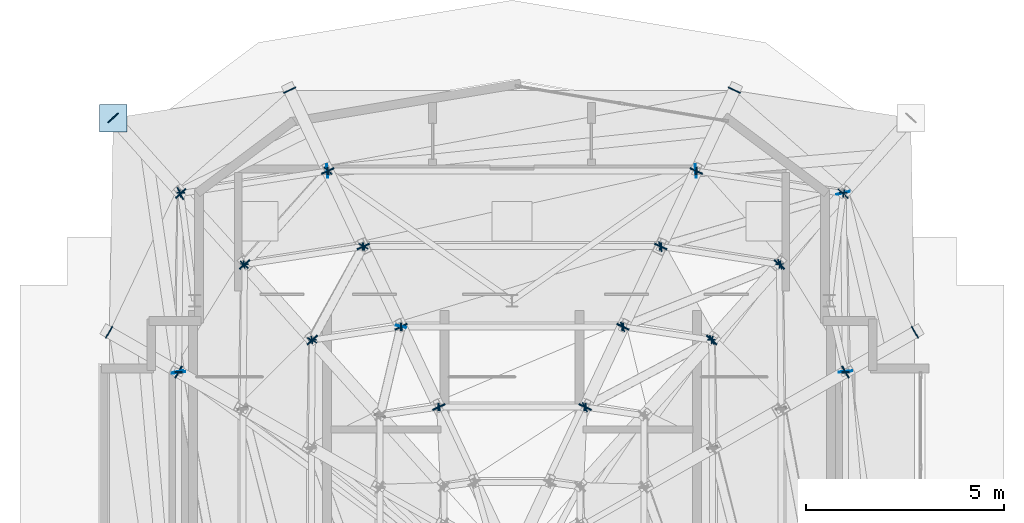
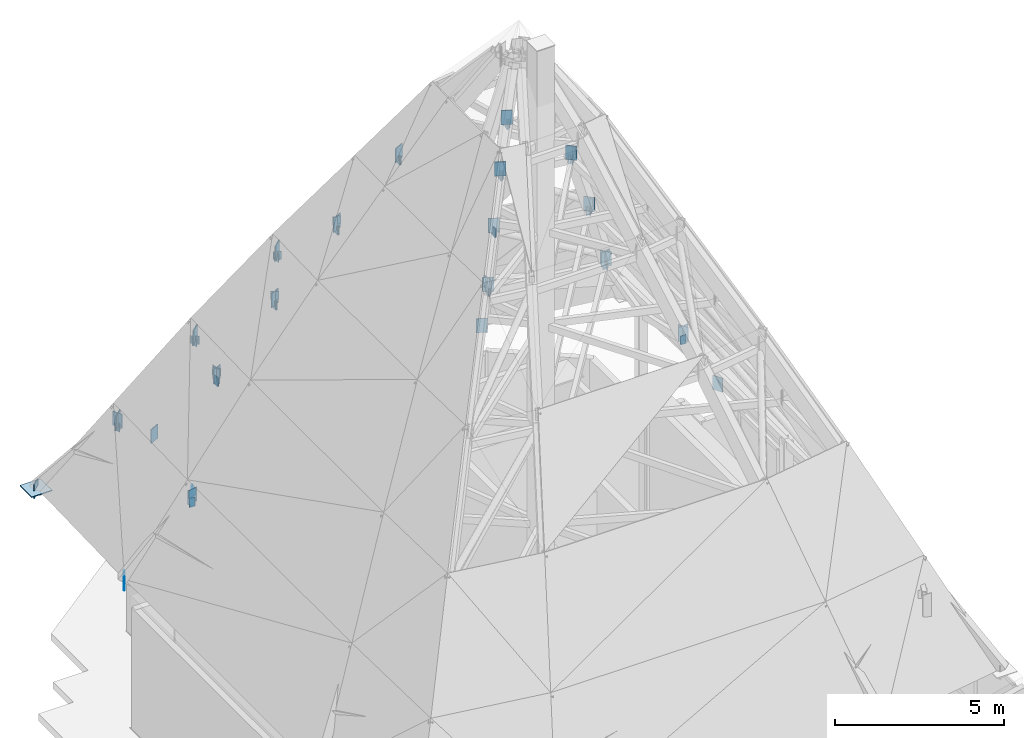
# One storey, part 24 of 30: 86 plates.
"""IFC4 building model written with IfcOpenShell, lengths in metres."""

from ifc_helpers import new_model, si_unit, direction, frame, origin, origin_2d, place, context, subcontext, project, spatial, rectangle, extrude, material, layer, layer_set, type_object, element, save


model = new_model("IFC4")

# Units and contexts
model_context = context("Model", 3, precision=1e-05, world=origin(), true_north=direction((0.0, 1.0)))
body_context = subcontext(model_context, "Body", "Model", "MODEL_VIEW")
ifc_project = project(units=[si_unit("LENGTHUNIT", "METRE"), si_unit("AREAUNIT", "SQUARE_METRE"), si_unit("VOLUMEUNIT", "CUBIC_METRE"), si_unit("PLANEANGLEUNIT", "RADIAN"), si_unit("MASSUNIT", "GRAM", prefix="KILO")], contexts=[model_context])

# Site, building, storey
site_placement = place(None, origin())
site = spatial("IfcSite", under=ifc_project, at=site_placement, CompositionType="ELEMENT")
building_placement = place(site_placement, origin())
building = spatial("IfcBuilding", under=site, at=building_placement, Name="Haolan Belvedere Tower", CompositionType="ELEMENT")
storey_placement = place(building_placement, frame((0.0, 0.0, 333.0)))
storey = spatial("IfcBuildingStorey", under=building, at=storey_placement, Name="L83", CompositionType="ELEMENT", Elevation=333.0)

# Plates
ifc_material = material(Name="Steel Q355B", Category="steel")
ifc_layer_1 = layer(ifc_material, 0.02490234375, Name="Steel Q355B")
ifc_layer_set_1 = layer_set([ifc_layer_1], Name="Steel Q355B")
plate_type_1 = type_object("IfcPlateType", Name="PL-CAP-25", PredefinedType="SHEET", material=ifc_layer_set_1)
plate_1_placement = place(storey_placement, frame((46.80322265625, 41.414794921875, 7.57080078125), z_axis=(0.0, 0.0, 1.0), x_axis=(-0.996289928604, -0.086060317001, 0.0)))
element("IfcPlate", 1, at=plate_1_placement, inside=storey, type_object=plate_type_1, Name="Hollow steel end-cap plate CRN-DRAF-T1-05-CAP1", PredefinedType="SHEET", context=body_context, shape_type="SweptSolid", body=[
    extrude(rectangle(XDim=0.340087890625, YDim=0.02490234375, at=origin_2d()), origin(), (0.0, 0.0, 1.0), 0.510009765625),
])
plate_2_placement = place(storey_placement, frame((46.804443359375, 41.4150390625, 7.428955078125), z_axis=(0.0, 0.0, 1.0), x_axis=(-1.0, 0.0, 0.0)))
element("IfcPlate", 2, at=plate_2_placement, inside=storey, type_object=plate_type_1, Name="Hollow steel end-cap plate CRN-RING-T1-05-CAP1", PredefinedType="SHEET", context=body_context, shape_type="SweptSolid", body=[
    extrude(rectangle(XDim=0.18994140625, YDim=0.02490234375, at=origin_2d()), origin(), (0.0, 0.0, 1.0), 0.31005859375),
])
for number, where, z_axis, x_axis, name in (
    (3, (46.745849609375, 45.915283203125, 7.5732421875), (0.0, 0.0, 1.0), (-0.974122129213, -0.226022293985, 0.0), "Hollow steel end-cap plate CRN-DRAF-T1-06-CAP1"),
    (4, (48.555908203125, 42.4033203125, 4.5146484375), (0.0, 0.0, 1.0), (-0.496140737146, 0.868242114242, 0.0), "Hollow steel end-cap plate CRN-RAF-T1-06-CAP0"),
    (5, (46.79833984375, 41.399169921875, 7.57958984375), (0.0, 0.0, 1.0), (0.496140737146, -0.868242114242, 0.0), "Hollow steel end-cap plate CRN-RAF-T1-06-CAP1"),
):
    element("IfcPlate", number, at=place(storey_placement, frame(where, z_axis=z_axis, x_axis=x_axis)), inside=storey, type_object=plate_type_1, Name=name, PredefinedType="SHEET", context=body_context, shape_type="SweptSolid", body=[
        extrude(rectangle(XDim=0.340087890625, YDim=0.02490234375, at=origin_2d()), origin(), (0.0, 0.0, 1.0), 0.510009765625),
    ])
for number, where, z_axis, x_axis, name in (
    (6, (46.804443359375, 41.389892578125, 7.428955078125), (0.0, 0.0, 1.0), (0.999923005737, 0.012408972499, 0.0), "Hollow steel end-cap plate CRN-RING-T1-06-CAP0"),
    (7, (46.748291015625, 45.916259765625, 7.428955078125), (0.0, 0.0, 1.0), (-0.999923005737, -0.012408972499, 0.0), "Hollow steel end-cap plate CRN-RING-T1-06-CAP1"),
):
    element("IfcPlate", number, at=place(storey_placement, frame(where, z_axis=z_axis, x_axis=x_axis)), inside=storey, type_object=plate_type_1, Name=name, PredefinedType="SHEET", context=body_context, shape_type="SweptSolid", body=[
        extrude(rectangle(XDim=0.18994140625, YDim=0.02490234375, at=origin_2d()), origin(), (0.0, 0.0, 1.0), 0.31005859375),
    ])
for number, where, z_axis, x_axis, name in (
    (8, (43.032470703125, 46.46826171875, 7.57275390625), (0.0, 0.0, 1.0), (0.083712627444, -0.996489937735, 0.0), "Hollow steel end-cap plate CRN-DRAF-T1-07-CAP1"),
    (9, (46.7431640625, 45.89794921875, 7.57861328125), (0.0, 0.0, 1.0), (0.744288234024, -0.667858536438, 0.0), "Hollow steel end-cap plate CRN-RAF-T1-07-CAP1"),
):
    element("IfcPlate", number, at=place(storey_placement, frame(where, z_axis=z_axis, x_axis=x_axis)), inside=storey, type_object=plate_type_1, Name=name, PredefinedType="SHEET", context=body_context, shape_type="SweptSolid", body=[
        extrude(rectangle(XDim=0.340087890625, YDim=0.02490234375, at=origin_2d()), origin(), (0.0, 0.0, 1.0), 0.510009765625),
    ])
for number, where, z_axis, x_axis, name in (
    (10, (46.7607421875, 45.90185546875, 7.428955078125), (0.0, 0.0, 1.0), (0.15091576158, 0.988546626572, 0.0), "Hollow steel end-cap plate CRN-RING-T1-07-CAP0"),
    (11, (43.031982421875, 46.47119140625, 7.428955078125), (0.0, 0.0, 1.0), (-0.15091576158, -0.988546626572, 0.0), "Hollow steel end-cap plate CRN-RING-T1-07-CAP1"),
):
    element("IfcPlate", number, at=place(storey_placement, frame(where, z_axis=z_axis, x_axis=x_axis)), inside=storey, type_object=plate_type_1, Name=name, PredefinedType="SHEET", context=body_context, shape_type="SweptSolid", body=[
        extrude(rectangle(XDim=0.18994140625, YDim=0.02490234375, at=origin_2d()), origin(), (0.0, 0.0, 1.0), 0.31005859375),
    ])
for number, where, z_axis, x_axis, name in (
    (12, (33.743408203125, 46.468017578125, 7.57080078125), (0.0, 0.0, 1.0), (0.103417506668, -0.994638034319, 0.0), "Hollow steel end-cap plate CRN-DRAF-T1-08-CAP1"),
    (13, (44.003173828125, 48.506591796875, 4.51513671875), (0.0, 0.0, 1.0), (-0.904819621078, 0.425795083711, 0.0), "Hollow steel end-cap plate CRN-RAF-T1-08-CAP0"),
    (14, (43.041259765625, 46.462646484375, 7.5791015625), (0.0, 0.0, 1.0), (0.904819621078, -0.425795083711, 0.0), "Hollow steel end-cap plate CRN-RAF-T1-08-CAP1"),
):
    element("IfcPlate", number, at=place(storey_placement, frame(where, z_axis=z_axis, x_axis=x_axis)), inside=storey, type_object=plate_type_1, Name=name, PredefinedType="SHEET", context=body_context, shape_type="SweptSolid", body=[
        extrude(rectangle(XDim=0.340087890625, YDim=0.02490234375, at=origin_2d()), origin(), (0.0, 0.0, 1.0), 0.510009765625),
    ])
for number, where, z_axis, x_axis, name in (
    (15, (43.056884765625, 46.46923828125, 7.428955078125), (0.0, 0.0, 1.0), (0.0, 1.0, 0.0), "Hollow steel end-cap plate CRN-RING-T1-08-CAP0"),
    (16, (33.7431640625, 46.46923828125, 7.428955078125), (0.0, 0.0, 1.0), (0.0, -1.0, 0.0), "Hollow steel end-cap plate CRN-RING-T1-08-CAP1"),
):
    element("IfcPlate", number, at=place(storey_placement, frame(where, z_axis=z_axis, x_axis=x_axis)), inside=storey, type_object=plate_type_1, Name=name, PredefinedType="SHEET", context=body_context, shape_type="SweptSolid", body=[
        extrude(rectangle(XDim=0.18994140625, YDim=0.02490234375, at=origin_2d()), origin(), (0.0, 0.0, 1.0), 0.31005859375),
    ])
for number, where, z_axis, x_axis, name in (
    (17, (30.041259765625, 45.898681640625, 7.57373046875), (0.0, 0.0, 1.0), (0.440017535871, -0.897989180406, 0.0), "Hollow steel end-cap plate CRN-DRAF-T1-09-CAP1"),
    (18, (32.796875, 48.506591796875, 4.51513671875), (0.0, 0.0, 1.0), (-0.904819621078, -0.425795083711, 0.0), "Hollow steel end-cap plate CRN-RAF-T1-09-CAP0"),
    (19, (33.7587890625, 46.462646484375, 7.5791015625), (0.0, 0.0, 1.0), (0.904819621078, 0.425795083711, 0.0), "Hollow steel end-cap plate CRN-RAF-T1-09-CAP1"),
):
    element("IfcPlate", number, at=place(storey_placement, frame(where, z_axis=z_axis, x_axis=x_axis)), inside=storey, type_object=plate_type_1, Name=name, PredefinedType="SHEET", context=body_context, shape_type="SweptSolid", body=[
        extrude(rectangle(XDim=0.340087890625, YDim=0.02490234375, at=origin_2d()), origin(), (0.0, 0.0, 1.0), 0.510009765625),
    ])
for number, where, z_axis, x_axis, name in (
    (20, (33.76806640625, 46.47119140625, 7.428955078125), (0.0, 0.0, 1.0), (-0.15091576158, 0.988546626572, 0.0), "Hollow steel end-cap plate CRN-RING-T1-09-CAP0"),
    (21, (30.0390625, 45.90185546875, 7.428955078125), (0.0, 0.0, 1.0), (0.15091576158, -0.988546626572, 0.0), "Hollow steel end-cap plate CRN-RING-T1-09-CAP1"),
):
    element("IfcPlate", number, at=place(storey_placement, frame(where, z_axis=z_axis, x_axis=x_axis)), inside=storey, type_object=plate_type_1, Name=name, PredefinedType="SHEET", context=body_context, shape_type="SweptSolid", body=[
        extrude(rectangle(XDim=0.18994140625, YDim=0.02490234375, at=origin_2d()), origin(), (0.0, 0.0, 1.0), 0.31005859375),
    ])
for number, where, z_axis, x_axis, name in (
    (22, (29.997314453125, 41.390625, 7.572265625), (0.0, 0.0, 1.0), (0.989528308409, 0.144338930496, 0.0), "Hollow steel end-cap plate CRN-DRAF-T1-10-CAP1"),
    (23, (28.3447265625, 47.805908203125, 4.515625), (0.0, 0.0, 1.0), (-0.744288234024, -0.667858536438, 0.0), "Hollow steel end-cap plate CRN-RAF-T1-10-CAP0"),
    (24, (30.056884765625, 45.89794921875, 7.57861328125), (0.0, 0.0, 1.0), (0.744288234024, 0.667858536438, 0.0), "Hollow steel end-cap plate CRN-RAF-T1-10-CAP1"),
):
    element("IfcPlate", number, at=place(storey_placement, frame(where, z_axis=z_axis, x_axis=x_axis)), inside=storey, type_object=plate_type_1, Name=name, PredefinedType="SHEET", context=body_context, shape_type="SweptSolid", body=[
        extrude(rectangle(XDim=0.340087890625, YDim=0.02490234375, at=origin_2d()), origin(), (0.0, 0.0, 1.0), 0.510009765625),
    ])
for number, where, z_axis, x_axis, name in (
    (25, (30.0517578125, 45.916259765625, 7.428955078125), (0.0, 0.0, 1.0), (-0.999923005737, 0.012408972499, 0.0), "Hollow steel end-cap plate CRN-RING-T1-10-CAP0"),
    (26, (29.995361328125, 41.389892578125, 7.428955078125), (0.0, 0.0, 1.0), (0.999923005737, -0.012408972499, 0.0), "Hollow steel end-cap plate CRN-RING-T1-10-CAP1"),
):
    element("IfcPlate", number, at=place(storey_placement, frame(where, z_axis=z_axis, x_axis=x_axis)), inside=storey, type_object=plate_type_1, Name=name, PredefinedType="SHEET", context=body_context, shape_type="SweptSolid", body=[
        extrude(rectangle(XDim=0.18994140625, YDim=0.02490234375, at=origin_2d()), origin(), (0.0, 0.0, 1.0), 0.31005859375),
    ])
for number, where, z_axis, x_axis, name in (
    (27, (28.244140625, 42.4033203125, 4.5146484375), (0.0, 0.0, 1.0), (-0.496140737146, -0.868242114242, 0.0), "Hollow steel end-cap plate CRN-RAF-T1-11-CAP0"),
    (28, (30.00146484375, 41.399169921875, 7.57958984375), (0.0, 0.0, 1.0), (0.496140737146, 0.868242114242, 0.0), "Hollow steel end-cap plate CRN-RAF-T1-11-CAP1"),
):
    element("IfcPlate", number, at=place(storey_placement, frame(where, z_axis=z_axis, x_axis=x_axis)), inside=storey, type_object=plate_type_1, Name=name, PredefinedType="SHEET", context=body_context, shape_type="SweptSolid", body=[
        extrude(rectangle(XDim=0.340087890625, YDim=0.02490234375, at=origin_2d()), origin(), (0.0, 0.0, 1.0), 0.510009765625),
    ])
plate_3_placement = place(storey_placement, frame((29.99560546875, 41.4150390625, 7.428955078125), z_axis=(0.0, 0.0, 1.0), x_axis=(-1.0, 0.0, 0.0)))
element("IfcPlate", 29, at=plate_3_placement, inside=storey, type_object=plate_type_1, Name="Hollow steel end-cap plate CRN-RING-T1-11-CAP0", PredefinedType="SHEET", context=body_context, shape_type="SweptSolid", body=[
    extrude(rectangle(XDim=0.18994140625, YDim=0.02490234375, at=origin_2d()), origin(), (0.0, 0.0, 1.0), 0.31005859375),
])
plate_4_placement = place(storey_placement, frame((46.809326171875, 41.4052734375, 7.55810546875), z_axis=(0.0, 0.0, 1.0), x_axis=(-0.496140737146, 0.868242114242, 0.0)))
element("IfcPlate", 30, at=plate_4_placement, inside=storey, type_object=plate_type_1, Name="Hollow steel end-cap plate CRN-RAF-T2-06-CAP0", PredefinedType="SHEET", context=body_context, shape_type="SweptSolid", body=[
    extrude(rectangle(XDim=0.340087890625, YDim=0.02490234375, at=origin_2d()), origin(), (0.0, 0.0, 1.0), 0.510009765625),
])
plate_5_placement = place(storey_placement, frame((45.140380859375, 44.124267578125, 11.035400390625), z_axis=(0.0, 0.0, 1.0), x_axis=(-0.999939932483, -0.010960448242, 0.0)))
element("IfcPlate", 31, at=plate_5_placement, inside=storey, type_object=plate_type_1, Name="Hollow steel end-cap plate CRN-RING-T2-06-CAP1", PredefinedType="SHEET", context=body_context, shape_type="SweptSolid", body=[
    extrude(rectangle(XDim=0.18994140625, YDim=0.02490234375, at=origin_2d()), origin(), (0.0, 0.0, 1.0), 0.31005859375),
])
plate_6_placement = place(storey_placement, frame((45.1357421875, 44.106689453125, 11.18603515625), z_axis=(0.0, 0.0, 1.0), x_axis=(0.744288234024, -0.667858536438, 0.0)))
element("IfcPlate", 32, at=plate_6_placement, inside=storey, type_object=plate_type_1, Name="Hollow steel end-cap plate CRN-RAF-T2-07-CAP1", PredefinedType="SHEET", context=body_context, shape_type="SweptSolid", body=[
    extrude(rectangle(XDim=0.340087890625, YDim=0.02490234375, at=origin_2d()), origin(), (0.0, 0.0, 1.0), 0.510009765625),
])
for number, where, z_axis, x_axis, name in (
    (33, (45.15283203125, 44.10986328125, 11.035400390625), (0.0, 0.0, 1.0), (0.149845963038, 0.988709354341, 0.0), "Hollow steel end-cap plate CRN-RING-T2-07-CAP0"),
    (34, (42.135986328125, 44.567138671875, 11.035400390625), (0.0, 0.0, 1.0), (-0.149845963038, -0.988709354341, 0.0), "Hollow steel end-cap plate CRN-RING-T2-07-CAP1"),
):
    element("IfcPlate", number, at=place(storey_placement, frame(where, z_axis=z_axis, x_axis=x_axis)), inside=storey, type_object=plate_type_1, Name=name, PredefinedType="SHEET", context=body_context, shape_type="SweptSolid", body=[
        extrude(rectangle(XDim=0.18994140625, YDim=0.02490234375, at=origin_2d()), origin(), (0.0, 0.0, 1.0), 0.31005859375),
    ])
plate_7_placement = place(storey_placement, frame((42.138427734375, 44.5625, 11.09814453125), z_axis=(0.0, 0.0, 1.0), x_axis=(0.27939332843, -0.960176737913, 0.0)))
element("IfcPlate", 35, at=plate_7_placement, inside=storey, type_object=plate_type_1, Name="Hollow steel end-cap plate CRN-DIAG-T2-07-CAP1", PredefinedType="SHEET", context=body_context, shape_type="SweptSolid", body=[
    extrude(rectangle(XDim=0.259033203125, YDim=0.02490234375, at=origin_2d()), origin(), (0.0, 0.0, 1.0), 0.279052734375),
])
for number, where, z_axis, x_axis, name in (
    (36, (43.047119140625, 46.47509765625, 7.55810546875), (0.0, 0.0, 1.0), (-0.904819621078, 0.425795083711, 0.0), "Hollow steel end-cap plate CRN-RAF-T2-08-CAP0"),
    (37, (42.145751953125, 44.5595703125, 11.1865234375), (0.0, 0.0, 1.0), (0.904819621078, -0.425795083711, 0.0), "Hollow steel end-cap plate CRN-RAF-T2-08-CAP1"),
):
    element("IfcPlate", number, at=place(storey_placement, frame(where, z_axis=z_axis, x_axis=x_axis)), inside=storey, type_object=plate_type_1, Name=name, PredefinedType="SHEET", context=body_context, shape_type="SweptSolid", body=[
        extrude(rectangle(XDim=0.340087890625, YDim=0.02490234375, at=origin_2d()), origin(), (0.0, 0.0, 1.0), 0.510009765625),
    ])
for number, where, z_axis, x_axis, name in (
    (38, (42.160888671875, 44.565185546875, 11.035400390625), (0.0, 0.0, 1.0), (0.0, 1.0, 0.0), "Hollow steel end-cap plate CRN-RING-T2-08-CAP0"),
    (39, (34.63916015625, 44.565185546875, 11.035400390625), (0.0, 0.0, 1.0), (0.0, -1.0, 0.0), "Hollow steel end-cap plate CRN-RING-T2-08-CAP1"),
):
    element("IfcPlate", number, at=place(storey_placement, frame(where, z_axis=z_axis, x_axis=x_axis)), inside=storey, type_object=plate_type_1, Name=name, PredefinedType="SHEET", context=body_context, shape_type="SweptSolid", body=[
        extrude(rectangle(XDim=0.18994140625, YDim=0.02490234375, at=origin_2d()), origin(), (0.0, 0.0, 1.0), 0.31005859375),
    ])
for number, where, z_axis, x_axis, name in (
    (40, (33.7529296875, 46.47509765625, 7.55810546875), (0.0, 0.0, 1.0), (-0.904819621078, -0.425795083711, 0.0), "Hollow steel end-cap plate CRN-RAF-T2-09-CAP0"),
    (41, (34.654296875, 44.5595703125, 11.1865234375), (0.0, 0.0, 1.0), (0.904819621078, 0.425795083711, 0.0), "Hollow steel end-cap plate CRN-RAF-T2-09-CAP1"),
):
    element("IfcPlate", number, at=place(storey_placement, frame(where, z_axis=z_axis, x_axis=x_axis)), inside=storey, type_object=plate_type_1, Name=name, PredefinedType="SHEET", context=body_context, shape_type="SweptSolid", body=[
        extrude(rectangle(XDim=0.340087890625, YDim=0.02490234375, at=origin_2d()), origin(), (0.0, 0.0, 1.0), 0.510009765625),
    ])
for number, where, z_axis, x_axis, name in (
    (42, (34.6640625, 44.567138671875, 11.035400390625), (0.0, 0.0, 1.0), (-0.149845963038, 0.988709354341, 0.0), "Hollow steel end-cap plate CRN-RING-T2-09-CAP0"),
    (43, (31.647216796875, 44.10986328125, 11.035400390625), (0.0, 0.0, 1.0), (0.149845963038, -0.988709354341, 0.0), "Hollow steel end-cap plate CRN-RING-T2-09-CAP1"),
):
    element("IfcPlate", number, at=place(storey_placement, frame(where, z_axis=z_axis, x_axis=x_axis)), inside=storey, type_object=plate_type_1, Name=name, PredefinedType="SHEET", context=body_context, shape_type="SweptSolid", body=[
        extrude(rectangle(XDim=0.18994140625, YDim=0.02490234375, at=origin_2d()), origin(), (0.0, 0.0, 1.0), 0.31005859375),
    ])
for number, where, z_axis, x_axis, name in (
    (44, (33.76123046875, 46.475830078125, 7.775390625), (0.0, 0.0, 1.0), (-0.747322803445, 0.664461155713, 0.0), "Hollow steel end-cap plate CRN-DIAG-T2-09-CAP0"),
    (45, (31.65380859375, 44.10546875, 11.10009765625), (0.0, 0.0, 1.0), (0.747322803445, -0.664461155713, 0.0), "Hollow steel end-cap plate CRN-DIAG-T2-09-CAP1"),
):
    element("IfcPlate", number, at=place(storey_placement, frame(where, z_axis=z_axis, x_axis=x_axis)), inside=storey, type_object=plate_type_1, Name=name, PredefinedType="SHEET", context=body_context, shape_type="SweptSolid", body=[
        extrude(rectangle(XDim=0.259033203125, YDim=0.02490234375, at=origin_2d()), origin(), (0.0, 0.0, 1.0), 0.279052734375),
    ])
for number, where, z_axis, x_axis, name in (
    (46, (30.046875, 45.908935546875, 7.55859375), (0.0, 0.0, 1.0), (-0.744288234024, -0.667858536438, 0.0), "Hollow steel end-cap plate CRN-RAF-T2-10-CAP0"),
    (47, (31.6640625, 44.106689453125, 11.18603515625), (0.0, 0.0, 1.0), (0.744288234024, 0.667858536438, 0.0), "Hollow steel end-cap plate CRN-RAF-T2-10-CAP1"),
):
    element("IfcPlate", number, at=place(storey_placement, frame(where, z_axis=z_axis, x_axis=x_axis)), inside=storey, type_object=plate_type_1, Name=name, PredefinedType="SHEET", context=body_context, shape_type="SweptSolid", body=[
        extrude(rectangle(XDim=0.340087890625, YDim=0.02490234375, at=origin_2d()), origin(), (0.0, 0.0, 1.0), 0.510009765625),
    ])
plate_8_placement = place(storey_placement, frame((31.65966796875, 44.124267578125, 11.035400390625), z_axis=(0.0, 0.0, 1.0), x_axis=(-0.999939932483, 0.010960448242, 0.0)))
element("IfcPlate", 48, at=plate_8_placement, inside=storey, type_object=plate_type_1, Name="Hollow steel end-cap plate CRN-RING-T2-10-CAP0", PredefinedType="SHEET", context=body_context, shape_type="SweptSolid", body=[
    extrude(rectangle(XDim=0.18994140625, YDim=0.02490234375, at=origin_2d()), origin(), (0.0, 0.0, 1.0), 0.31005859375),
])
plate_9_placement = place(storey_placement, frame((29.990478515625, 41.4052734375, 7.55810546875), z_axis=(0.0, 0.0, 1.0), x_axis=(-0.496140737146, -0.868242114242, 0.0)))
element("IfcPlate", 49, at=plate_9_placement, inside=storey, type_object=plate_type_1, Name="Hollow steel end-cap plate CRN-RAF-T2-11-CAP0", PredefinedType="SHEET", context=body_context, shape_type="SweptSolid", body=[
    extrude(rectangle(XDim=0.340087890625, YDim=0.02490234375, at=origin_2d()), origin(), (0.0, 0.0, 1.0), 0.510009765625),
])
plate_10_placement = place(storey_placement, frame((29.993408203125, 41.4140625, 7.7802734375), z_axis=(0.0, 0.0, 1.0), x_axis=(-0.982932138443, -0.183968506043, 0.0)))
element("IfcPlate", 50, at=plate_10_placement, inside=storey, type_object=plate_type_1, Name="Hollow steel end-cap plate CRN-DIAG-T2-11-CAP0", PredefinedType="SHEET", context=body_context, shape_type="SweptSolid", body=[
    extrude(rectangle(XDim=0.259033203125, YDim=0.02490234375, at=origin_2d()), origin(), (0.0, 0.0, 1.0), 0.279052734375),
])
plate_11_placement = place(storey_placement, frame((43.431884765625, 42.22021484375, 14.64697265625), z_axis=(0.0, 0.0, 1.0), x_axis=(-0.99996461524, -0.00841238777, 0.0)))
element("IfcPlate", 51, at=plate_11_placement, inside=storey, type_object=plate_type_1, Name="Hollow steel end-cap plate CRN-RING-T3-06-CAP1", PredefinedType="SHEET", context=body_context, shape_type="SweptSolid", body=[
    extrude(rectangle(XDim=0.18994140625, YDim=0.02490234375, at=origin_2d()), origin(), (0.0, 0.0, 1.0), 0.31005859375),
])
for number, where, z_axis, x_axis, name in (
    (52, (45.145263671875, 44.1171875, 11.16552734375), (0.0, 0.0, 1.0), (-0.744288234024, 0.667858536438, 0.0), "Hollow steel end-cap plate CRN-RAF-T3-07-CAP0"),
    (53, (43.42724609375, 42.202392578125, 14.79736328125), (0.0, 0.0, 1.0), (0.744288234024, -0.667858536438, 0.0), "Hollow steel end-cap plate CRN-RAF-T3-07-CAP1"),
):
    element("IfcPlate", number, at=place(storey_placement, frame(where, z_axis=z_axis, x_axis=x_axis)), inside=storey, type_object=plate_type_1, Name=name, PredefinedType="SHEET", context=body_context, shape_type="SweptSolid", body=[
        extrude(rectangle(XDim=0.340087890625, YDim=0.02490234375, at=origin_2d()), origin(), (0.0, 0.0, 1.0), 0.510009765625),
    ])
for number, where, z_axis, x_axis, name in (
    (54, (43.4443359375, 42.2060546875, 14.64697265625), (0.0, 0.0, 1.0), (0.147982024709, 0.98899005069, 0.0), "Hollow steel end-cap plate CRN-RING-T3-07-CAP0"),
    (55, (41.18408203125, 42.544189453125, 14.64697265625), (0.0, 0.0, 1.0), (-0.147982024709, -0.98899005069, 0.0), "Hollow steel end-cap plate CRN-RING-T3-07-CAP1"),
):
    element("IfcPlate", number, at=place(storey_placement, frame(where, z_axis=z_axis, x_axis=x_axis)), inside=storey, type_object=plate_type_1, Name=name, PredefinedType="SHEET", context=body_context, shape_type="SweptSolid", body=[
        extrude(rectangle(XDim=0.18994140625, YDim=0.02490234375, at=origin_2d()), origin(), (0.0, 0.0, 1.0), 0.31005859375),
    ])
for number, where, z_axis, x_axis, name in (
    (56, (45.149658203125, 44.115478515625, 11.38330078125), (0.0, 0.0, 1.0), (-0.369730540795, 0.929139024691, 0.0), "Hollow steel end-cap plate CRN-DIAG-T3-07-CAP0"),
    (57, (41.187255859375, 42.53857421875, 14.7099609375), (0.0, 0.0, 1.0), (0.369730540795, -0.929139024691, 0.0), "Hollow steel end-cap plate CRN-DIAG-T3-07-CAP1"),
):
    element("IfcPlate", number, at=place(storey_placement, frame(where, z_axis=z_axis, x_axis=x_axis)), inside=storey, type_object=plate_type_1, Name=name, PredefinedType="SHEET", context=body_context, shape_type="SweptSolid", body=[
        extrude(rectangle(XDim=0.259033203125, YDim=0.02490234375, at=origin_2d()), origin(), (0.0, 0.0, 1.0), 0.279052734375),
    ])
for number, where, z_axis, x_axis, name in (
    (58, (42.151123046875, 44.5712890625, 11.1650390625), (0.0, 0.0, 1.0), (-0.904819621078, 0.425795083711, 0.0), "Hollow steel end-cap plate CRN-RAF-T3-08-CAP0"),
    (59, (41.193603515625, 42.536376953125, 14.7978515625), (0.0, 0.0, 1.0), (0.904819621078, -0.425795083711, 0.0), "Hollow steel end-cap plate CRN-RAF-T3-08-CAP1"),
):
    element("IfcPlate", number, at=place(storey_placement, frame(where, z_axis=z_axis, x_axis=x_axis)), inside=storey, type_object=plate_type_1, Name=name, PredefinedType="SHEET", context=body_context, shape_type="SweptSolid", body=[
        extrude(rectangle(XDim=0.340087890625, YDim=0.02490234375, at=origin_2d()), origin(), (0.0, 0.0, 1.0), 0.510009765625),
    ])
for number, where, z_axis, x_axis, name in (
    (60, (41.208984375, 42.542236328125, 14.64697265625), (0.0, 0.0, 1.0), (0.0, 1.0, 0.0), "Hollow steel end-cap plate CRN-RING-T3-08-CAP0"),
    (61, (35.591064453125, 42.542236328125, 14.64697265625), (0.0, 0.0, 1.0), (0.0, -1.0, 0.0), "Hollow steel end-cap plate CRN-RING-T3-08-CAP1"),
):
    element("IfcPlate", number, at=place(storey_placement, frame(where, z_axis=z_axis, x_axis=x_axis)), inside=storey, type_object=plate_type_1, Name=name, PredefinedType="SHEET", context=body_context, shape_type="SweptSolid", body=[
        extrude(rectangle(XDim=0.18994140625, YDim=0.02490234375, at=origin_2d()), origin(), (0.0, 0.0, 1.0), 0.31005859375),
    ])
for number, where, z_axis, x_axis, name in (
    (62, (34.648681640625, 44.5712890625, 11.1650390625), (0.0, 0.0, 1.0), (-0.904819621078, -0.425795083711, 0.0), "Hollow steel end-cap plate CRN-RAF-T3-09-CAP0"),
    (63, (35.6064453125, 42.536376953125, 14.7978515625), (0.0, 0.0, 1.0), (0.904819621078, 0.425795083711, 0.0), "Hollow steel end-cap plate CRN-RAF-T3-09-CAP1"),
):
    element("IfcPlate", number, at=place(storey_placement, frame(where, z_axis=z_axis, x_axis=x_axis)), inside=storey, type_object=plate_type_1, Name=name, PredefinedType="SHEET", context=body_context, shape_type="SweptSolid", body=[
        extrude(rectangle(XDim=0.340087890625, YDim=0.02490234375, at=origin_2d()), origin(), (0.0, 0.0, 1.0), 0.510009765625),
    ])
for number, where, z_axis, x_axis, name in (
    (64, (35.615966796875, 42.544189453125, 14.64697265625), (0.0, 0.0, 1.0), (-0.147982024709, 0.98899005069, 0.0), "Hollow steel end-cap plate CRN-RING-T3-09-CAP0"),
    (65, (33.355712890625, 42.2060546875, 14.64697265625), (0.0, 0.0, 1.0), (0.147982024709, -0.98899005069, 0.0), "Hollow steel end-cap plate CRN-RING-T3-09-CAP1"),
):
    element("IfcPlate", number, at=place(storey_placement, frame(where, z_axis=z_axis, x_axis=x_axis)), inside=storey, type_object=plate_type_1, Name=name, PredefinedType="SHEET", context=body_context, shape_type="SweptSolid", body=[
        extrude(rectangle(XDim=0.18994140625, YDim=0.02490234375, at=origin_2d()), origin(), (0.0, 0.0, 1.0), 0.31005859375),
    ])
for number, where, z_axis, x_axis, name in (
    (66, (34.6552734375, 44.572265625, 11.38134765625), (0.0, 0.0, 1.0), (-0.878258536505, 0.478186096679, 0.0), "Hollow steel end-cap plate CRN-DIAG-T3-09-CAP0"),
    (67, (33.3642578125, 42.200927734375, 14.71240234375), (0.0, 0.0, 1.0), (0.878258536505, -0.478186096679, 0.0), "Hollow steel end-cap plate CRN-DIAG-T3-09-CAP1"),
):
    element("IfcPlate", number, at=place(storey_placement, frame(where, z_axis=z_axis, x_axis=x_axis)), inside=storey, type_object=plate_type_1, Name=name, PredefinedType="SHEET", context=body_context, shape_type="SweptSolid", body=[
        extrude(rectangle(XDim=0.259033203125, YDim=0.02490234375, at=origin_2d()), origin(), (0.0, 0.0, 1.0), 0.279052734375),
    ])
for number, where, z_axis, x_axis, name in (
    (68, (31.65478515625, 44.1171875, 11.16552734375), (0.0, 0.0, 1.0), (-0.744288234024, -0.667858536438, 0.0), "Hollow steel end-cap plate CRN-RAF-T3-10-CAP0"),
    (69, (33.372802734375, 42.202392578125, 14.79736328125), (0.0, 0.0, 1.0), (0.744288234024, 0.667858536438, 0.0), "Hollow steel end-cap plate CRN-RAF-T3-10-CAP1"),
):
    element("IfcPlate", number, at=place(storey_placement, frame(where, z_axis=z_axis, x_axis=x_axis)), inside=storey, type_object=plate_type_1, Name=name, PredefinedType="SHEET", context=body_context, shape_type="SweptSolid", body=[
        extrude(rectangle(XDim=0.340087890625, YDim=0.02490234375, at=origin_2d()), origin(), (0.0, 0.0, 1.0), 0.510009765625),
    ])
plate_12_placement = place(storey_placement, frame((33.3681640625, 42.22021484375, 14.64697265625), z_axis=(0.0, 0.0, 1.0), x_axis=(-0.99996461524, 0.00841238777, 0.0)))
element("IfcPlate", 70, at=plate_12_placement, inside=storey, type_object=plate_type_1, Name="Hollow steel end-cap plate CRN-RING-T3-10-CAP0", PredefinedType="SHEET", context=body_context, shape_type="SweptSolid", body=[
    extrude(rectangle(XDim=0.18994140625, YDim=0.02490234375, at=origin_2d()), origin(), (0.0, 0.0, 1.0), 0.31005859375),
])
plate_13_placement = place(storey_placement, frame((43.43701171875, 42.21337890625, 14.77685546875), z_axis=(0.0, 0.0, 1.0), x_axis=(-0.744288234024, 0.667858536438, 0.0)))
element("IfcPlate", 71, at=plate_13_placement, inside=storey, type_object=plate_type_1, Name="Hollow steel end-cap plate CRN-RAF-T4-07-CAP0", PredefinedType="SHEET", context=body_context, shape_type="SweptSolid", body=[
    extrude(rectangle(XDim=0.340087890625, YDim=0.02490234375, at=origin_2d()), origin(), (0.0, 0.0, 1.0), 0.510009765625),
])
plate_14_placement = place(storey_placement, frame((40.23193359375, 40.52099609375, 18.06884765625), z_axis=(0.0, 0.0, 1.0), x_axis=(-0.144166223028, -0.989553485234, 0.0)))
element("IfcPlate", 72, at=plate_14_placement, inside=storey, type_object=plate_type_1, Name="Hollow steel end-cap plate CRN-RING-T4-07-CAP1", PredefinedType="SHEET", context=body_context, shape_type="SweptSolid", body=[
    extrude(rectangle(XDim=0.18994140625, YDim=0.02490234375, at=origin_2d()), origin(), (0.0, 0.0, 1.0), 0.31005859375),
])
for number, where, z_axis, x_axis, name in (
    (73, (43.4404296875, 42.212158203125, 14.994140625), (0.0, 0.0, 1.0), (-0.468099476457, 0.883675777727, 0.0), "Hollow steel end-cap plate CRN-DIAG-T4-07-CAP0"),
    (74, (40.236083984375, 40.514892578125, 18.13232421875), (0.0, 0.0, 1.0), (0.468099476457, -0.883675777727, 0.0), "Hollow steel end-cap plate CRN-DIAG-T4-07-CAP1"),
):
    element("IfcPlate", number, at=place(storey_placement, frame(where, z_axis=z_axis, x_axis=x_axis)), inside=storey, type_object=plate_type_1, Name=name, PredefinedType="SHEET", context=body_context, shape_type="SweptSolid", body=[
        extrude(rectangle(XDim=0.259033203125, YDim=0.02490234375, at=origin_2d()), origin(), (0.0, 0.0, 1.0), 0.279052734375),
    ])
for number, where, z_axis, x_axis, name in (
    (75, (41.19921875, 42.548583984375, 14.7763671875), (0.0, 0.0, 1.0), (-0.904819621078, 0.425795083711, 0.0), "Hollow steel end-cap plate CRN-RAF-T4-08-CAP0"),
    (76, (40.241455078125, 40.51318359375, 18.21923828125), (0.0, 0.0, 1.0), (0.904819621078, -0.425795083711, 0.0), "Hollow steel end-cap plate CRN-RAF-T4-08-CAP1"),
):
    element("IfcPlate", number, at=place(storey_placement, frame(where, z_axis=z_axis, x_axis=x_axis)), inside=storey, type_object=plate_type_1, Name=name, PredefinedType="SHEET", context=body_context, shape_type="SweptSolid", body=[
        extrude(rectangle(XDim=0.340087890625, YDim=0.02490234375, at=origin_2d()), origin(), (0.0, 0.0, 1.0), 0.510009765625),
    ])
for number, where, z_axis, x_axis, name in (
    (77, (40.2568359375, 40.519287109375, 18.06884765625), (0.0, 0.0, 1.0), (0.0, 1.0, 0.0), "Hollow steel end-cap plate CRN-RING-T4-08-CAP0"),
    (78, (36.543212890625, 40.519287109375, 18.06884765625), (0.0, 0.0, 1.0), (0.0, -1.0, 0.0), "Hollow steel end-cap plate CRN-RING-T4-08-CAP1"),
):
    element("IfcPlate", number, at=place(storey_placement, frame(where, z_axis=z_axis, x_axis=x_axis)), inside=storey, type_object=plate_type_1, Name=name, PredefinedType="SHEET", context=body_context, shape_type="SweptSolid", body=[
        extrude(rectangle(XDim=0.18994140625, YDim=0.02490234375, at=origin_2d()), origin(), (0.0, 0.0, 1.0), 0.31005859375),
    ])
for number, where, z_axis, x_axis, name in (
    (79, (35.6005859375, 42.548583984375, 14.7763671875), (0.0, 0.0, 1.0), (-0.904819621078, -0.425795083711, 0.0), "Hollow steel end-cap plate CRN-RAF-T4-09-CAP0"),
    (80, (36.55859375, 40.51318359375, 18.21923828125), (0.0, 0.0, 1.0), (0.904819621078, 0.425795083711, 0.0), "Hollow steel end-cap plate CRN-RAF-T4-09-CAP1"),
):
    element("IfcPlate", number, at=place(storey_placement, frame(where, z_axis=z_axis, x_axis=x_axis)), inside=storey, type_object=plate_type_1, Name=name, PredefinedType="SHEET", context=body_context, shape_type="SweptSolid", body=[
        extrude(rectangle(XDim=0.340087890625, YDim=0.02490234375, at=origin_2d()), origin(), (0.0, 0.0, 1.0), 0.510009765625),
    ])
plate_15_placement = place(storey_placement, frame((36.56787109375, 40.52099609375, 18.06884765625), z_axis=(0.0, 0.0, 1.0), x_axis=(-0.144166223028, 0.989553485234, 0.0)))
element("IfcPlate", 81, at=plate_15_placement, inside=storey, type_object=plate_type_1, Name="Hollow steel end-cap plate CRN-RING-T4-09-CAP0", PredefinedType="SHEET", context=body_context, shape_type="SweptSolid", body=[
    extrude(rectangle(XDim=0.18994140625, YDim=0.02490234375, at=origin_2d()), origin(), (0.0, 0.0, 1.0), 0.31005859375),
])
plate_16_placement = place(storey_placement, frame((35.605224609375, 42.549560546875, 14.9921875), z_axis=(0.0, 0.0, 1.0), x_axis=(-0.97337925846, 0.229200390922, 0.0)))
element("IfcPlate", 82, at=plate_16_placement, inside=storey, type_object=plate_type_1, Name="Hollow steel end-cap plate CRN-DIAG-T4-09-CAP0", PredefinedType="SHEET", context=body_context, shape_type="SweptSolid", body=[
    extrude(rectangle(XDim=0.259033203125, YDim=0.02490234375, at=origin_2d()), origin(), (0.0, 0.0, 1.0), 0.279052734375),
])
for number, where, z_axis, x_axis, name in (
    (83, (33.363037109375, 42.21337890625, 14.77685546875), (0.0, 0.0, 1.0), (-0.744288234024, -0.667858536438, 0.0), "Hollow steel end-cap plate CRN-RAF-T4-10-CAP0"),
    (84, (40.247314453125, 40.525634765625, 18.1982421875), (0.0, 0.0, 1.0), (-0.904819621078, 0.425795083711, 0.0), "Hollow steel end-cap plate CRN-RAF-T5-08-CAP0"),
    (85, (36.552734375, 40.525634765625, 18.1982421875), (0.0, 0.0, 1.0), (-0.904819621078, -0.425795083711, 0.0), "Hollow steel end-cap plate CRN-RAF-T5-09-CAP0"),
):
    element("IfcPlate", number, at=place(storey_placement, frame(where, z_axis=z_axis, x_axis=x_axis)), inside=storey, type_object=plate_type_1, Name=name, PredefinedType="SHEET", context=body_context, shape_type="SweptSolid", body=[
        extrude(rectangle(XDim=0.340087890625, YDim=0.02490234375, at=origin_2d()), origin(), (0.0, 0.0, 1.0), 0.510009765625),
    ])
ifc_layer_2 = layer(ifc_material, 0.030029296875, Name="Steel Q355B")
ifc_layer_set_2 = layer_set([ifc_layer_2], Name="Steel Q355B")
plate_type_2 = type_object("IfcPlateType", Name="PL-NODE-NP04", PredefinedType="USERDEFINED", material=ifc_layer_set_2)
plate_17_placement = place(storey_placement, frame((28.35009765625, 47.800048828125, 4.77490234375), z_axis=(0.0, 0.0, 1.0), x_axis=(1.0, 0.0, 0.0)))
element("IfcPlate", 86, at=plate_17_placement, inside=storey, type_object=plate_type_2, Name="NP-04 crown hip base node plate 09", ObjectType="GUSSET", PredefinedType="USERDEFINED", context=body_context, shape_type="SweptSolid", body=[
    extrude(rectangle(XDim=0.699951171875, YDim=0.699951171875, at=origin_2d()), origin(), (0.0, 0.0, 1.0), 0.030029296875),
])

save(model, "model.ifc")
